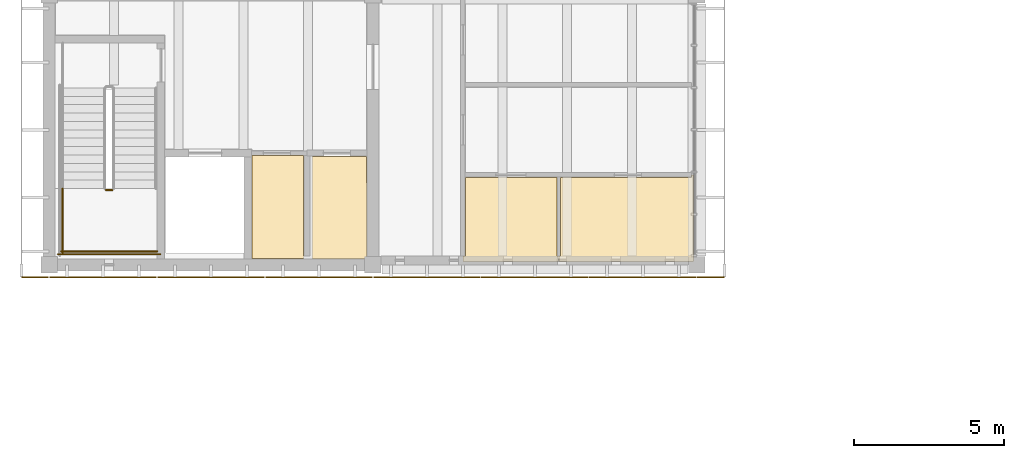
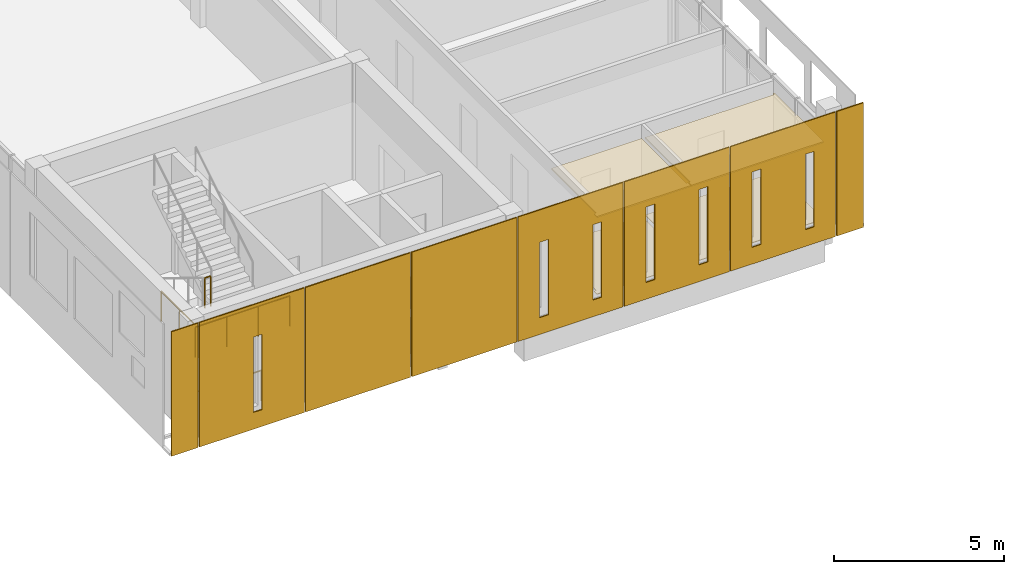
# One storey, part 60 of 74: 14 coverings, 4 railings.
"""IFC4 building model written with IfcOpenShell, lengths in metres."""

from ifc_helpers import new_model, si_unit, direction, frame, origin, origin_2d, place, context, subcontext, project, spatial, polyline, circle, outline, extrude, source, transform, mapped, material, layer, layer_set, type_object, element, save


model = new_model("IFC4")

# Units and contexts
model_context = context("Model", 3, precision=1e-05, world=origin(), true_north=direction((0.0, 1.0)))
body_context = subcontext(model_context, "Body", "Model", "MODEL_VIEW")
ifc_project = project(units=[si_unit("LENGTHUNIT", "METRE"), si_unit("AREAUNIT", "SQUARE_METRE"), si_unit("VOLUMEUNIT", "CUBIC_METRE"), si_unit("PLANEANGLEUNIT", "RADIAN"), si_unit("MASSUNIT", "GRAM", prefix="KILO")], contexts=[model_context])

# Site, building, storey
site_placement = place(None, origin())
site = spatial("IfcSite", under=ifc_project, at=site_placement, CompositionType="ELEMENT")
building_placement = place(site_placement, origin())
building = spatial("IfcBuilding", under=site, at=building_placement, Name="Merrow Basin Faculty of Sciences", CompositionType="ELEMENT")
storey_placement = place(building_placement, frame((0.0, 0.0, 13.5)))
storey = spatial("IfcBuildingStorey", under=building, at=storey_placement, Name="L03", CompositionType="ELEMENT", Elevation=13.5)

# Coverings
ifc_material_1 = material(Name="Carpet tile floor")
ifc_layer_1 = layer(ifc_material_1, 0.02001953125)
ifc_layer_set_1 = layer_set([ifc_layer_1], Name="Carpet tile floor")
covering_type_1 = type_object("IfcCoveringType", Name="Carpet tile floor", PredefinedType="FLOORING", material=ifc_layer_set_1)
covering_1_placement = place(storey_placement, origin())
element("IfcCovering", 1, at=covering_1_placement, inside=storey, type_object=covering_type_1, Name="Floor finish L03-B-004", PredefinedType="FLOORING", context=body_context, shape_type="SweptSolid", body=[
    extrude(outline(polyline([(10.590087890625, 64.614990234375), (10.590087890625, 61.264892578125), (10.7900390625, 61.264892578125), (10.7900390625, 61.110107421875), (10.534912109375, 61.110107421875), (10.534912109375, 61.2099609375), (8.610107421875, 61.2099609375), (8.610107421875, 61.2900390625), (8.7099609375, 61.2900390625), (8.7099609375, 64.614990234375), (10.590087890625, 64.614990234375)])), origin(), (0.0, 0.0, 1.0), 0.02001953125),
])
ifc_material_2 = material(Name="Ceramic floor tile")
ifc_layer_2 = layer(ifc_material_2, 0.02001953125)
ifc_layer_set_2 = layer_set([ifc_layer_2], Name="Ceramic floor tile")
covering_type_2 = type_object("IfcCoveringType", Name="Ceramic floor tile", PredefinedType="FLOORING", material=ifc_layer_set_2)
covering_2_placement = place(storey_placement, origin())
element("IfcCovering", 2, at=covering_2_placement, inside=storey, type_object=covering_type_2, Name="Floor finish L03-B-014", PredefinedType="FLOORING", context=body_context, shape_type="SweptSolid", body=[
    extrude(outline(polyline([(16.989990234375, 61.110107421875), (13.81005859375, 61.110107421875), (13.81005859375, 61.2900390625), (13.885009765625, 61.2900390625), (13.885009765625, 63.9150390625), (16.93994140625, 63.9150390625), (16.93994140625, 61.2900390625), (16.989990234375, 61.2900390625), (16.989990234375, 61.110107421875)])), origin(), (0.0, 0.0, 1.0), 0.02001953125),
])
covering_3_placement = place(storey_placement, origin())
element("IfcCovering", 3, at=covering_3_placement, inside=storey, type_object=covering_type_2, Name="Floor finish L03-B-015", PredefinedType="FLOORING", context=body_context, shape_type="SweptSolid", body=[
    extrude(outline(polyline([(21.489990234375, 63.989990234375), (21.489990234375, 61.110107421875), (17.010009765625, 61.110107421875), (17.010009765625, 61.2900390625), (17.06005859375, 61.2900390625), (17.06005859375, 63.9150390625), (21.429931640625, 63.9150390625), (21.429931640625, 63.989990234375), (21.489990234375, 63.989990234375)])), origin(), (0.0, 0.0, 1.0), 0.02001953125),
])
ifc_material_3 = material(Name="Sealed concrete floor", Category="concrete")
ifc_layer_3 = layer(ifc_material_3, 0.02001953125)
ifc_layer_set_3 = layer_set([ifc_layer_3], Name="Sealed concrete floor")
covering_type_3 = type_object("IfcCoveringType", Name="Sealed concrete floor", PredefinedType="FLOORING", material=ifc_layer_set_3)
covering_4_placement = place(storey_placement, origin())
element("IfcCovering", 4, at=covering_4_placement, inside=storey, type_object=covering_type_3, Name="Floor finish L03-B-003", PredefinedType="FLOORING", context=body_context, shape_type="SweptSolid", body=[
    extrude(outline(polyline([(8.590087890625, 61.2099609375), (6.760009765625, 61.2099609375), (6.760009765625, 64.639892578125), (8.489990234375, 64.639892578125), (8.489990234375, 61.2900390625), (8.590087890625, 61.2900390625), (8.590087890625, 61.2099609375)])), origin(), (0.0, 0.0, 1.0), 0.02001953125),
])

# Railings
ifc_material_4 = material(Name="Steel ASTM A36", Category="steel")
railing_type = type_object("IfcRailingType", Name="Steel guard 1100", PredefinedType="GUARDRAIL", material=ifc_material_4)
railing_1_placement = place(storey_placement, frame((1.89990234375, 63.489990234375, 2.25)))
element("IfcRailing", 5, at=railing_1_placement, inside=storey, type_object=railing_type, Name="L03 ST-V4-S stair guard 2", PredefinedType="GUARDRAIL", context=body_context, shape_type="SweptSolid", body=[
    extrude(circle(Radius=0.02392578125, at=origin_2d()), frame((0.0, 0.0, 1.076171875), z_axis=(1.0, 0.0, 0.0), x_axis=(0.0, 1.0, 0.0)), (0.0, 0.0, 1.0), 0.2001953125),
    extrude(circle(Radius=0.02099609375, at=origin_2d()), origin(), (0.0, 0.0, 1.0), 1.052001953125),
    extrude(circle(Radius=0.02099609375, at=origin_2d()), frame((0.2001953125, 0.0, 0.0)), (0.0, 0.0, 1.0), 1.052001953125),
])
railing_2_placement = place(storey_placement, frame((0.449951171875, 63.5400390625, 2.25)))
element("IfcRailing", 6, at=railing_2_placement, inside=storey, type_object=railing_type, Name="L03 ST-V4-S stair guard 3", PredefinedType="GUARDRAIL", context=body_context, shape_type="SweptSolid", body=[
    extrude(circle(Radius=0.02392578125, at=origin_2d()), frame((0.0, 0.0, 1.076171875), z_axis=(0.0, -1.0, 0.0), x_axis=(1.0, 0.0, 0.0)), (0.0, 0.0, 1.0), 2.14013671875),
    extrude(circle(Radius=0.02099609375, at=origin_2d()), origin(), (0.0, 0.0, 1.0), 1.052001953125),
    extrude(circle(Radius=0.02099609375, at=origin_2d()), frame((0.0, -1.070068359375, 0.0)), (0.0, 0.0, 1.0), 1.052001953125),
    extrude(circle(Radius=0.02099609375, at=origin_2d()), frame((0.0, -2.14013671875, 0.0)), (0.0, 0.0, 1.0), 1.052001953125),
])
railing_3_placement = place(storey_placement, frame((0.39990234375, 61.449951171875, 2.25)))
element("IfcRailing", 7, at=railing_3_placement, inside=storey, type_object=railing_type, Name="L03 ST-V4-S stair guard 4", PredefinedType="GUARDRAIL", context=body_context, shape_type="SweptSolid", body=[
    extrude(circle(Radius=0.02392578125, at=origin_2d()), frame((0.0, 0.0, 1.076171875), z_axis=(1.0, 0.0, 0.0), x_axis=(0.0, 1.0, 0.0)), (0.0, 0.0, 1.0), 3.2001953125),
    extrude(circle(Radius=0.02099609375, at=origin_2d()), origin(), (0.0, 0.0, 1.0), 1.052001953125),
    extrude(circle(Radius=0.02099609375, at=origin_2d()), frame((1.066650390625, 0.0, 0.0)), (0.0, 0.0, 1.0), 1.052001953125),
    extrude(circle(Radius=0.02099609375, at=origin_2d()), frame((2.133544921875, 0.0, 0.0)), (0.0, 0.0, 1.0), 1.052001953125),
    extrude(circle(Radius=0.02099609375, at=origin_2d()), frame((3.2001953125, 0.0, 0.0)), (0.0, 0.0, 1.0), 1.052001953125),
])
railing_4_placement = place(storey_placement, frame((0.300048828125, 61.35009765625, 0.0)))
element("IfcRailing", 8, at=railing_4_placement, inside=storey, type_object=railing_type, Name="L03 ST-V4-S stair guard 9", PredefinedType="GUARDRAIL", context=body_context, shape_type="SweptSolid", body=[
    extrude(circle(Radius=0.02392578125, at=origin_2d()), frame((0.0, 0.0, 1.076171875), z_axis=(1.0, 0.0, 0.0), x_axis=(0.0, 1.0, 0.0)), (0.0, 0.0, 1.0), 3.39990234375),
    extrude(circle(Radius=0.02099609375, at=origin_2d()), origin(), (0.0, 0.0, 1.0), 1.052001953125),
    extrude(circle(Radius=0.02099609375, at=origin_2d()), frame((1.13330078125, 0.0, 0.0)), (0.0, 0.0, 1.0), 1.052001953125),
    extrude(circle(Radius=0.02099609375, at=origin_2d()), frame((2.2666015625, 0.0, 0.0)), (0.0, 0.0, 1.0), 1.052001953125),
    extrude(circle(Radius=0.02099609375, at=origin_2d()), frame((3.39990234375, 0.0, 0.0)), (0.0, 0.0, 1.0), 1.052001953125),
])

# Coverings
ifc_material_5 = material(Name="Mineral fibre ceiling tile")
ifc_layer_4 = layer(ifc_material_5, 0.050048828125)
ifc_layer_set_4 = layer_set([ifc_layer_4], Name="Suspended acoustic ceiling tile")
covering_type_4 = type_object("IfcCoveringType", Name="Suspended acoustic ceiling tile", PredefinedType="CEILING", material=ifc_layer_set_4)
covering_5_placement = place(storey_placement, frame((0.0, 0.0, 2.75)))
element("IfcCovering", 9, at=covering_5_placement, inside=storey, type_object=covering_type_4, Name="Ceiling L03-B-014", PredefinedType="CEILING", context=body_context, shape_type="SweptSolid", body=[
    extrude(outline(polyline([(16.989990234375, 61.110107421875), (13.81005859375, 61.110107421875), (13.81005859375, 61.2900390625), (13.885009765625, 61.2900390625), (13.885009765625, 63.9150390625), (16.93994140625, 63.9150390625), (16.93994140625, 61.2900390625), (16.989990234375, 61.2900390625), (16.989990234375, 61.110107421875)])), origin(), (0.0, 0.0, 1.0), 0.050048828125),
])
covering_6_placement = place(storey_placement, frame((0.0, 0.0, 2.75)))
element("IfcCovering", 10, at=covering_6_placement, inside=storey, type_object=covering_type_4, Name="Ceiling L03-B-015", PredefinedType="CEILING", context=body_context, shape_type="SweptSolid", body=[
    extrude(outline(polyline([(21.489990234375, 63.989990234375), (21.489990234375, 61.110107421875), (17.010009765625, 61.110107421875), (17.010009765625, 61.2900390625), (17.06005859375, 61.2900390625), (17.06005859375, 63.9150390625), (21.429931640625, 63.9150390625), (21.429931640625, 63.989990234375), (21.489990234375, 63.989990234375)])), origin(), (0.0, 0.0, 1.0), 0.050048828125),
])
ifc_material_6 = material(Name="White powder-coated aluminium", Category="aluminium")
ifc_layer_5 = layer(ifc_material_6, 0.0400390625)
ifc_layer_set_5 = layer_set([ifc_layer_5], Name="End corner panel 940 x 4500")
covering_type_5 = type_object("IfcCoveringType", Name="End corner panel 940 x 4500", PredefinedType="CLADDING", material=ifc_layer_set_5)
shared_shape_1 = source(origin(), body_context, "Body", "SweptSolid", [
    extrude(outline(polyline([(0.02001953125, 0.02001953125), (0.919921875, 0.02001953125), (0.919921875, 4.47998046875), (0.02001953125, 4.47998046875), (0.02001953125, 0.02001953125)])), origin(), (0.0, 0.0, 1.0), 0.0400390625),
])
covering_7_placement = place(storey_placement, frame((0.0, 60.56005859375, -0.320068359375), z_axis=(0.0, 1.0, 0.0), x_axis=(-1.0, 0.0, 0.0)))
element("IfcCovering", 11, at=covering_7_placement, inside=storey, type_object=covering_type_5, Name="End panel SL03-01", PredefinedType="CLADDING", context=body_context, shape_type="MappedRepresentation", body=[
    mapped(shared_shape_1, transform((0.0, 0.0, 0.0), scale=1.0)),
])
ifc_material_7 = material(Name="White powder-coated aluminium", Category="aluminium")
ifc_layer_6 = layer(ifc_material_7, 0.0400390625)
ifc_layer_set_6 = layer_set([ifc_layer_6], Name="End panel 3600 x 4500")
covering_type_6 = type_object("IfcCoveringType", Name="End panel 3600 x 4500", PredefinedType="CLADDING", material=ifc_layer_set_6)
shared_shape_2 = source(origin(), body_context, "Body", "SweptSolid", [
    extrude(outline(polyline([(0.02001953125, 0.02001953125), (3.580078125, 0.02001953125), (3.580078125, 4.47998046875), (0.02001953125, 4.47998046875), (0.02001953125, 0.02001953125)]), holes=[polyline([(1.449951171875, 0.6201171875), (1.75, 0.6201171875), (1.75, 3.320068359375), (1.449951171875, 3.320068359375), (1.449951171875, 0.6201171875)])]), origin(), (0.0, 0.0, 1.0), 0.0400390625),
])
covering_8_placement = place(storey_placement, frame((3.60009765625, 60.56005859375, -0.320068359375), z_axis=(0.0, 1.0, 0.0), x_axis=(-1.0, 0.0, 0.0)))
element("IfcCovering", 12, at=covering_8_placement, inside=storey, type_object=covering_type_6, Name="End panel SL03-02", PredefinedType="CLADDING", context=body_context, shape_type="MappedRepresentation", body=[
    mapped(shared_shape_2, transform((0.0, 0.0, 0.0), scale=1.0)),
])
shared_shape_3 = source(origin(), body_context, "Body", "SweptSolid", [
    extrude(outline(polyline([(0.02001953125, 0.02001953125), (3.580078125, 0.02001953125), (3.580078125, 4.47998046875), (0.02001953125, 4.47998046875), (0.02001953125, 0.02001953125)])), origin(), (0.0, 0.0, 1.0), 0.0400390625),
])
covering_9_placement = place(storey_placement, frame((7.199951171875, 60.56005859375, -0.320068359375), z_axis=(0.0, 1.0, 0.0), x_axis=(-1.0, 0.0, 0.0)))
element("IfcCovering", 13, at=covering_9_placement, inside=storey, type_object=covering_type_6, Name="End panel SL03-03", PredefinedType="CLADDING", context=body_context, shape_type="MappedRepresentation", body=[
    mapped(shared_shape_3, transform((0.0, 0.0, 0.0), scale=1.0)),
])
shared_shape_4 = source(origin(), body_context, "Body", "SweptSolid", [
    extrude(outline(polyline([(0.02001953125, 0.02001953125), (3.580078125, 0.02001953125), (3.580078125, 4.47998046875), (0.02001953125, 4.47998046875), (0.02001953125, 0.02001953125)])), origin(), (0.0, 0.0, 1.0), 0.0400390625),
])
covering_10_placement = place(storey_placement, frame((10.800048828125, 60.56005859375, -0.320068359375), z_axis=(0.0, 1.0, 0.0), x_axis=(-1.0, 0.0, 0.0)))
element("IfcCovering", 14, at=covering_10_placement, inside=storey, type_object=covering_type_6, Name="End panel SL03-04", PredefinedType="CLADDING", context=body_context, shape_type="MappedRepresentation", body=[
    mapped(shared_shape_4, transform((0.0, 0.0, 0.0), scale=1.0)),
])
shared_shape_5 = source(origin(), body_context, "Body", "SweptSolid", [
    extrude(outline(polyline([(0.02001953125, 0.02001953125), (3.580078125, 0.02001953125), (3.580078125, 4.47998046875), (0.02001953125, 4.47998046875), (0.02001953125, 0.02001953125)]), holes=[polyline([(2.550048828125, 0.6201171875), (2.85009765625, 0.6201171875), (2.85009765625, 3.320068359375), (2.550048828125, 3.320068359375), (2.550048828125, 0.6201171875)]), polyline([(0.75, 0.6201171875), (1.050048828125, 0.6201171875), (1.050048828125, 3.320068359375), (0.75, 3.320068359375), (0.75, 0.6201171875)])]), origin(), (0.0, 0.0, 1.0), 0.0400390625),
])
covering_11_placement = place(storey_placement, frame((14.39990234375, 60.56005859375, -0.320068359375), z_axis=(0.0, 1.0, 0.0), x_axis=(-1.0, 0.0, 0.0)))
element("IfcCovering", 15, at=covering_11_placement, inside=storey, type_object=covering_type_6, Name="End panel SL03-05", PredefinedType="CLADDING", context=body_context, shape_type="MappedRepresentation", body=[
    mapped(shared_shape_5, transform((0.0, 0.0, 0.0), scale=1.0)),
])
shared_shape_6 = source(origin(), body_context, "Body", "SweptSolid", [
    extrude(outline(polyline([(0.02001953125, 0.02001953125), (3.580078125, 0.02001953125), (3.580078125, 4.47998046875), (0.02001953125, 4.47998046875), (0.02001953125, 0.02001953125)]), holes=[polyline([(2.550048828125, 0.6201171875), (2.85009765625, 0.6201171875), (2.85009765625, 3.320068359375), (2.550048828125, 3.320068359375), (2.550048828125, 0.6201171875)]), polyline([(0.75, 0.6201171875), (1.050048828125, 0.6201171875), (1.050048828125, 3.320068359375), (0.75, 3.320068359375), (0.75, 0.6201171875)])]), origin(), (0.0, 0.0, 1.0), 0.0400390625),
])
covering_12_placement = place(storey_placement, frame((18.0, 60.56005859375, -0.320068359375), z_axis=(0.0, 1.0, 0.0), x_axis=(-1.0, 0.0, 0.0)))
element("IfcCovering", 16, at=covering_12_placement, inside=storey, type_object=covering_type_6, Name="End panel SL03-06", PredefinedType="CLADDING", context=body_context, shape_type="MappedRepresentation", body=[
    mapped(shared_shape_6, transform((0.0, 0.0, 0.0), scale=1.0)),
])
shared_shape_7 = source(origin(), body_context, "Body", "SweptSolid", [
    extrude(outline(polyline([(0.02001953125, 0.02001953125), (3.580078125, 0.02001953125), (3.580078125, 4.47998046875), (0.02001953125, 4.47998046875), (0.02001953125, 0.02001953125)]), holes=[polyline([(2.550048828125, 0.6201171875), (2.85009765625, 0.6201171875), (2.85009765625, 3.320068359375), (2.550048828125, 3.320068359375), (2.550048828125, 0.6201171875)]), polyline([(0.75, 0.6201171875), (1.050048828125, 0.6201171875), (1.050048828125, 3.320068359375), (0.75, 3.320068359375), (0.75, 0.6201171875)])]), origin(), (0.0, 0.0, 1.0), 0.0400390625),
])
covering_13_placement = place(storey_placement, frame((21.60009765625, 60.56005859375, -0.320068359375), z_axis=(0.0, 1.0, 0.0), x_axis=(-1.0, 0.0, 0.0)))
element("IfcCovering", 17, at=covering_13_placement, inside=storey, type_object=covering_type_6, Name="End panel SL03-07", PredefinedType="CLADDING", context=body_context, shape_type="MappedRepresentation", body=[
    mapped(shared_shape_7, transform((0.0, 0.0, 0.0), scale=1.0)),
])
shared_shape_8 = source(origin(), body_context, "Body", "SweptSolid", [
    extrude(outline(polyline([(0.02001953125, 0.02001953125), (0.919921875, 0.02001953125), (0.919921875, 4.47998046875), (0.02001953125, 4.47998046875), (0.02001953125, 0.02001953125)])), origin(), (0.0, 0.0, 1.0), 0.0400390625),
])
covering_14_placement = place(storey_placement, frame((22.5400390625, 60.56005859375, -0.320068359375), z_axis=(0.0, 1.0, 0.0), x_axis=(-1.0, 0.0, 0.0)))
element("IfcCovering", 18, at=covering_14_placement, inside=storey, type_object=covering_type_5, Name="End panel SL03-08", PredefinedType="CLADDING", context=body_context, shape_type="MappedRepresentation", body=[
    mapped(shared_shape_8, transform((0.0, 0.0, 0.0), scale=1.0)),
])

save(model, "model.ifc")
